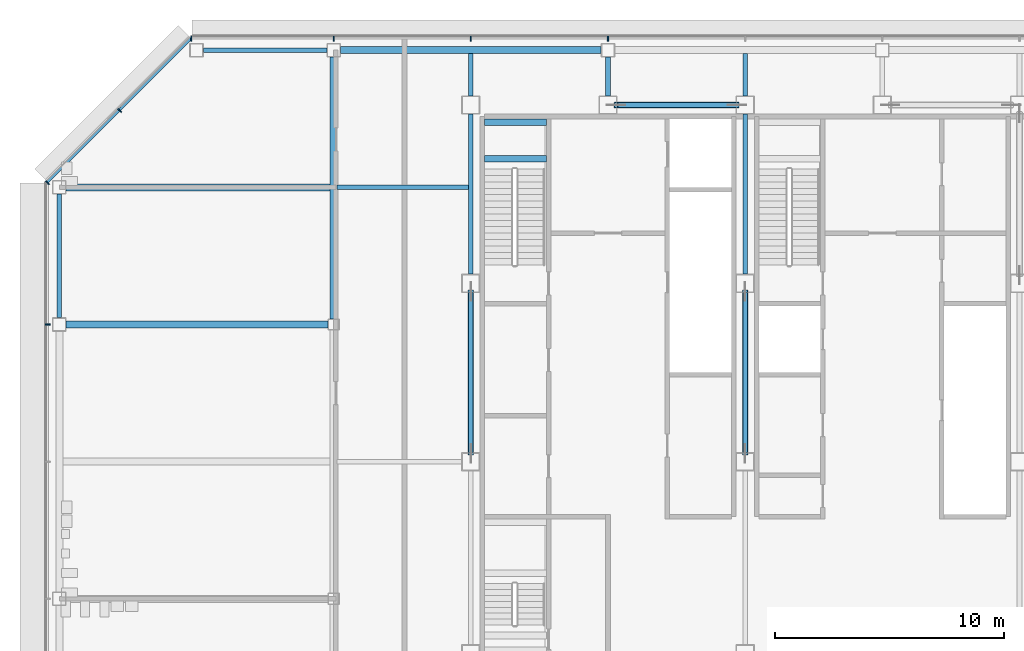
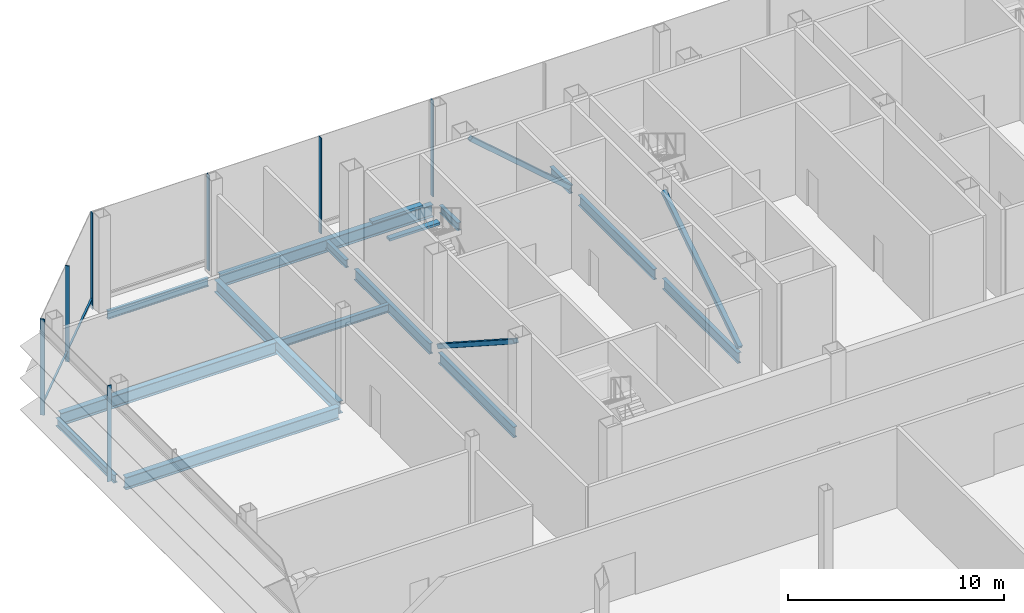
# One storey, part 11 of 26: 16 beams, 11 members, 3 elements without a shape of their own.
"""IFC4 building model written with IfcOpenShell, lengths in metres."""

from ifc_helpers import new_model, si_unit, direction, frame, origin, origin_2d, place, context, subcontext, project, spatial, rectangle, hollow_rectangle, i_section, extrude, material, material_profile, profile_set, type_object, element, aggregate, save


model = new_model("IFC4")

# Units and contexts
model_context = context("Model", 3, precision=1e-05, world=origin(), true_north=direction((0.0, 1.0)))
body_context = subcontext(model_context, "Body", "Model", "MODEL_VIEW")
ifc_project = project(units=[si_unit("LENGTHUNIT", "METRE"), si_unit("AREAUNIT", "SQUARE_METRE"), si_unit("VOLUMEUNIT", "CUBIC_METRE"), si_unit("PLANEANGLEUNIT", "RADIAN"), si_unit("MASSUNIT", "GRAM", prefix="KILO")], contexts=[model_context])

# Site, building, storey
site_placement = place(None, origin())
site = spatial("IfcSite", under=ifc_project, at=site_placement, CompositionType="ELEMENT")
building_placement = place(site_placement, origin())
building = spatial("IfcBuilding", under=site, at=building_placement, Name="Sorahane Residences", CompositionType="ELEMENT")
storey_placement = place(building_placement, frame((0.0, 0.0, 257.60009765625)))
storey = spatial("IfcBuildingStorey", under=building, at=storey_placement, Name="L61", CompositionType="ELEMENT", Elevation=257.60009765625)

# Members
ifc_material_1 = material(Name="Steel Q355B", Category="steel")
ifc_material_profile_1 = material_profile(ifc_material_1, hollow_rectangle(XDim=0.25, YDim=0.25, WallThickness=0.013916015625, InnerFilletRadius=0.007080078125, OuterFilletRadius=0.02099609375, at=origin_2d()), Name="RHS 250x250x14")
ifc_profile_set_1 = profile_set([ifc_material_profile_1], Name="Steel Q355B")
member_type_1 = type_object("IfcMemberType", Name="Core brace RHS 250x250x14 Q355B", PredefinedType="BRACE", material=ifc_profile_set_1)
member_1_placement = place(storey_placement, frame((17.649169921875, 45.60009765625, 0.08203125), z_axis=(-0.754714070621, 0.0, 0.656053863343), x_axis=(0.0, -1.0, 0.0)))
element("IfcMember", 1, at=member_1_placement, inside=storey, type_object=member_type_1, Name="Core brace L61 y45.6-2", PredefinedType="BRACE", context=body_context, shape_type="SweptSolid", body=[
    extrude(hollow_rectangle(XDim=0.25, YDim=0.25, WallThickness=0.013916015625, InnerFilletRadius=0.007080078125, OuterFilletRadius=0.02099609375, at=origin_2d()), origin(), (0.0, 0.0, 1.0), 7.020263671875),
])
for number, where, z_axis, x_axis, name in (
    (2, (6.0, 37.440673828125, 0.0986328125), (0.0, -0.840084199464, 0.54245602385), (1.0, 0.0, 0.0), "Core brace L61 x6-2"),
    (3, (18.0, 30.359375, 0.0986328125), (0.0, 0.840084199464, 0.54245602385), (-1.0, 0.0, 0.0), "Core brace L61 x18-1"),
):
    element("IfcMember", number, at=place(storey_placement, frame(where, z_axis=z_axis, x_axis=x_axis)), inside=storey, type_object=member_type_1, Name=name, PredefinedType="BRACE", context=body_context, shape_type="SweptSolid", body=[
        extrude(hollow_rectangle(XDim=0.25, YDim=0.25, WallThickness=0.013916015625, InnerFilletRadius=0.007080078125, OuterFilletRadius=0.02099609375, at=origin_2d()), origin(), (0.0, 0.0, 1.0), 8.42919921875),
    ])

# Curtain wall, members
ifc_material_2 = material(Name="Dark low-e glass and black anodised aluminium", Category="aluminium")
curtain_wall_type = type_object("IfcCurtainWallType", Name="Curtain wall CW-4 Sky floor frameless wall", PredefinedType="NOTDEFINED", material=ifc_material_2)
curtain_wall_1_placement = place(storey_placement, origin())
curtain_wall_1 = element("IfcCurtainWall", 4, at=curtain_wall_1_placement, inside=storey, type_object=curtain_wall_type, Name="CW-4 curtain wall L61 N1", PredefinedType="NOTDEFINED")
ifc_material_3 = material(Name="Black anodised aluminium", Category="aluminium")
ifc_material_profile_2 = material_profile(ifc_material_3, rectangle(XDim=0.219970703125, YDim=0.050048828125, at=origin_2d()), Name="Curtain wall mullion CW-4 black anodised aluminium 50x220")
ifc_profile_set_2 = profile_set([ifc_material_profile_2], Name="Black anodised aluminium")
member_type_2 = type_object("IfcMemberType", Name="Curtain wall mullion CW-4 black anodised aluminium 50x220", PredefinedType="MULLION", material=ifc_profile_set_2)
member_2_placement = place(storey_placement, frame((12.0, 48.510009765625, -0.22021484375), z_axis=(0.0, 0.0, 1.0), x_axis=(0.0, 1.0, 0.0)))
member_2 = element("IfcMember", 5, at=member_2_placement, type_object=member_type_2, Name="CW-4 mullion L61 N1.7", PredefinedType="MULLION", context=body_context, shape_type="SweptSolid", body=[
    extrude(rectangle(XDim=0.219970703125, YDim=0.050048828125, at=origin_2d()), origin(), (0.0, 0.0, 1.0), 5.440185546875),
])
member_3_placement = place(storey_placement, frame((6.0, 48.510009765625, -0.22021484375), z_axis=(0.0, 0.0, 1.0), x_axis=(0.0, 1.0, 0.0)))
member_3 = element("IfcMember", 6, at=member_3_placement, type_object=member_type_2, Name="CW-4 mullion L61 N1.8", PredefinedType="MULLION", context=body_context, shape_type="SweptSolid", body=[
    extrude(rectangle(XDim=0.219970703125, YDim=0.050048828125, at=origin_2d()), origin(), (0.0, 0.0, 1.0), 5.440185546875),
])
member_4_placement = place(storey_placement, frame((0.0, 48.510009765625, -0.22021484375), z_axis=(0.0, 0.0, 1.0), x_axis=(0.0, 1.0, 0.0)))
member_4 = element("IfcMember", 7, at=member_4_placement, type_object=member_type_2, Name="CW-4 mullion L61 N1.9", PredefinedType="MULLION", context=body_context, shape_type="SweptSolid", body=[
    extrude(rectangle(XDim=0.219970703125, YDim=0.050048828125, at=origin_2d()), origin(), (0.0, 0.0, 1.0), 5.440185546875),
])
member_5_placement = place(storey_placement, frame((-6.2236328125, 48.510009765625, -0.22021484375), z_axis=(0.0, 0.0, 1.0), x_axis=(0.0, 1.0, 0.0)))
member_5 = element("IfcMember", 8, at=member_5_placement, type_object=member_type_2, Name="CW-4 mullion L61 N1.10", PredefinedType="MULLION", context=body_context, shape_type="SweptSolid", body=[
    extrude(rectangle(XDim=0.219970703125, YDim=0.050048828125, at=origin_2d()), origin(), (0.0, 0.0, 1.0), 5.440185546875),
])
aggregate(curtain_wall_1, [member_2, member_3, member_4, member_5])

curtain_wall_2_placement = place(storey_placement, origin())
curtain_wall_2 = element("IfcCurtainWall", 9, at=curtain_wall_2_placement, inside=storey, type_object=curtain_wall_type, Name="CW-4 curtain wall L61 NW1", PredefinedType="NOTDEFINED")
member_6_placement = place(storey_placement, frame((-9.360595703125, 45.360595703125, -0.22021484375), z_axis=(0.0, 0.0, 1.0), x_axis=(-0.707106781187, 0.707106781187, 0.0)))
member_6 = element("IfcMember", 10, at=member_6_placement, type_object=member_type_2, Name="CW-4 mullion L61 NW1.2", PredefinedType="MULLION", context=body_context, shape_type="SweptSolid", body=[
    extrude(rectangle(XDim=0.219970703125, YDim=0.050048828125, at=origin_2d()), origin(), (0.0, 0.0, 1.0), 5.440185546875),
])
member_7_placement = place(storey_placement, frame((-12.518798828125, 42.20263671875, -0.22021484375), z_axis=(0.0, 0.0, 1.0), x_axis=(-0.707106781187, 0.707106781187, 0.0)))
member_7 = element("IfcMember", 11, at=member_7_placement, type_object=member_type_2, Name="CW-4 mullion L61 NW1.3", PredefinedType="MULLION", context=body_context, shape_type="SweptSolid", body=[
    extrude(rectangle(XDim=0.219970703125, YDim=0.050048828125, at=origin_2d()), origin(), (0.0, 0.0, 1.0), 5.440185546875),
])

# Curtain wall, member
curtain_wall_3_placement = place(storey_placement, origin())
curtain_wall_3 = element("IfcCurtainWall", 12, at=curtain_wall_3_placement, inside=storey, type_object=curtain_wall_type, Name="CW-4 curtain wall L61 W1", PredefinedType="NOTDEFINED")
member_8_placement = place(storey_placement, frame((-12.510009765625, 36.0, -0.22021484375), z_axis=(0.0, 0.0, 1.0), x_axis=(-1.0, 0.0, 0.0)))
member_8 = element("IfcMember", 13, at=member_8_placement, type_object=member_type_2, Name="CW-4 mullion L61 W1.2", PredefinedType="MULLION", context=body_context, shape_type="SweptSolid", body=[
    extrude(rectangle(XDim=0.219970703125, YDim=0.050048828125, at=origin_2d()), origin(), (0.0, 0.0, 1.0), 5.440185546875),
])
aggregate(curtain_wall_3, [member_8])

# Member
ifc_material_4 = material(Name="Black anodised aluminium", Category="aluminium")
ifc_material_profile_3 = material_profile(ifc_material_4, rectangle(XDim=0.10009765625, YDim=0.06005859375, at=origin_2d()), Name="Curtain wall transom CW-4 black anodised aluminium 60x100")
ifc_profile_set_3 = profile_set([ifc_material_profile_3], Name="Black anodised aluminium")
member_type_3 = type_object("IfcMemberType", Name="Curtain wall transom CW-4 black anodised aluminium 60x100", PredefinedType="USERDEFINED", material=ifc_profile_set_3)
member_9_placement = place(storey_placement, frame((-6.234375, 48.51513671875, 0.349853515625), z_axis=(-0.707106781187, -0.707106781187, 0.0), x_axis=(0.707106781187, -0.707106781187, 0.0)))
member_9 = element("IfcMember", 14, at=member_9_placement, type_object=member_type_3, Name="CW-4 transom L61 NW1", ObjectType="TRANSOM", PredefinedType="USERDEFINED", context=body_context, shape_type="SweptSolid", body=[
    extrude(rectangle(XDim=0.10009765625, YDim=0.06005859375, at=origin_2d()), origin(), (0.0, 0.0, 1.0), 8.88232421875),
])

aggregate(curtain_wall_2, [member_6, member_7, member_9])

# Beams
ifc_material_5 = material(Name="Concrete C40", Category="concrete")
ifc_material_profile_4 = material_profile(ifc_material_5, rectangle(XDim=0.300048828125, YDim=0.139892578125, at=origin_2d()), Name="300x140")
ifc_profile_set_4 = profile_set([ifc_material_profile_4], Name="Concrete C40")
beam_type_1 = type_object("IfcBeamType", Name="RC landing beam 300 x 140 Concrete C40", PredefinedType="BEAM", material=ifc_profile_set_4)
for number, where, z_axis, x_axis, name in (
    (15, (6.60009765625, 43.25, 2.429931640625), (1.0, 0.0, 0.0), (0.0, 1.0, 0.0), "Landing beam"),
    (16, (6.60009765625, 44.85009765625, 2.429931640625), (1.0, 0.0, 0.0), (0.0, 1.0, 0.0), "Landing beam"),
):
    element("IfcBeam", number, at=place(storey_placement, frame(where, z_axis=z_axis, x_axis=x_axis)), inside=storey, type_object=beam_type_1, Name=name, PredefinedType="BEAM", context=body_context, shape_type="SweptSolid", body=[
        extrude(rectangle(XDim=0.300048828125, YDim=0.139892578125, at=origin_2d()), origin(), (0.0, 0.0, 1.0), 2.699951171875),
    ])
ifc_material_6 = material(Name="Steel Q355B", Category="steel")
ifc_material_profile_5 = material_profile(ifc_material_6, i_section(OverallWidth=0.199951171875, OverallDepth=0.449951171875, WebThickness=0.009033203125, FlangeThickness=0.013916015625, FilletRadius=0.02001953125, at=origin_2d()), Name="HN 450x200x9x14")
ifc_profile_set_5 = profile_set([ifc_material_profile_5], Name="Steel Q355B")
beam_type_2 = type_object("IfcBeamType", Name="Steel floor beam HN 450x200x9x14 Q355B", PredefinedType="BEAM", material=ifc_profile_set_5)
for number, where, z_axis, x_axis, name in (
    (17, (-5.699951171875, 48.0, -0.445068359375), (1.0, 0.0, 0.0), (0.0, 1.0, 0.0), "Beam L61 015"),
    (18, (-12.0, 36.300048828125, -0.445068359375), (0.0, 1.0, 0.0), (-1.0, 0.0, 0.0), "Beam L61 023"),
):
    element("IfcBeam", number, at=place(storey_placement, frame(where, z_axis=z_axis, x_axis=x_axis)), inside=storey, type_object=beam_type_2, Name=name, PredefinedType="BEAM", context=body_context, shape_type="SweptSolid", body=[
        extrude(i_section(OverallWidth=0.199951171875, OverallDepth=0.449951171875, WebThickness=0.009033203125, FlangeThickness=0.013916015625, FilletRadius=0.02001953125, at=origin_2d()), origin(), (0.0, 0.0, 1.0), 5.39990234375),
    ])
beam_1_placement = place(storey_placement, frame((6.0, 46.0, -0.445068359375), z_axis=(0.0, 1.0, 0.0), x_axis=(-1.0, 0.0, 0.0)))
element("IfcBeam", 19, at=beam_1_placement, inside=storey, type_object=beam_type_2, Name="Beam L61 033", PredefinedType="BEAM", context=body_context, shape_type="SweptSolid", body=[
    extrude(i_section(OverallWidth=0.199951171875, OverallDepth=0.449951171875, WebThickness=0.009033203125, FlangeThickness=0.013916015625, FilletRadius=0.02001953125, at=origin_2d()), origin(), (0.0, 0.0, 1.0), 1.85009765625),
])
beam_2_placement = place(storey_placement, frame((12.0, 46.0, -0.445068359375), z_axis=(0.0, 1.0, 0.0), x_axis=(-1.0, 0.0, 0.0)))
element("IfcBeam", 20, at=beam_2_placement, inside=storey, type_object=beam_type_2, Name="Beam L61 035", PredefinedType="BEAM", context=body_context, shape_type="SweptSolid", body=[
    extrude(i_section(OverallWidth=0.199951171875, OverallDepth=0.449951171875, WebThickness=0.009033203125, FlangeThickness=0.013916015625, FilletRadius=0.02001953125, at=origin_2d()), origin(), (0.0, 0.0, 1.0), 1.699951171875),
])
beam_3_placement = place(storey_placement, frame((18.0, 46.0, -0.445068359375), z_axis=(0.0, 1.0, 0.0), x_axis=(-1.0, 0.0, 0.0)))
element("IfcBeam", 21, at=beam_3_placement, inside=storey, type_object=beam_type_2, Name="Beam L61 041", PredefinedType="BEAM", context=body_context, shape_type="SweptSolid", body=[
    extrude(i_section(OverallWidth=0.199951171875, OverallDepth=0.449951171875, WebThickness=0.009033203125, FlangeThickness=0.013916015625, FilletRadius=0.02001953125, at=origin_2d()), origin(), (0.0, 0.0, 1.0), 1.85009765625),
])
beam_4_placement = place(storey_placement, frame((0.14990234375, 42.0, -0.445068359375), z_axis=(1.0, 0.0, 0.0), x_axis=(0.0, 1.0, 0.0)))
element("IfcBeam", 22, at=beam_4_placement, inside=storey, type_object=beam_type_2, Name="Beam L61 090", PredefinedType="BEAM", context=body_context, shape_type="SweptSolid", body=[
    extrude(i_section(OverallWidth=0.199951171875, OverallDepth=0.449951171875, WebThickness=0.009033203125, FlangeThickness=0.013916015625, FilletRadius=0.02001953125, at=origin_2d()), origin(), (0.0, 0.0, 1.0), 5.75),
])
ifc_material_7 = material(Name="Steel Q355B", Category="steel")
ifc_material_profile_6 = material_profile(ifc_material_7, i_section(OverallWidth=0.199951171875, OverallDepth=0.60009765625, WebThickness=0.010986328125, FlangeThickness=0.01708984375, FilletRadius=0.02392578125, at=origin_2d()), Name="HN 600x200x11x17")
ifc_profile_set_6 = profile_set([ifc_material_profile_6], Name="Steel Q355B")
beam_type_3 = type_object("IfcBeamType", Name="Steel floor beam HN 600x200x11x17 Q355B", PredefinedType="BEAM", material=ifc_profile_set_6)
for number, where, z_axis, x_axis, name in (
    (23, (6.0, 30.39990234375, -0.52001953125), (0.0, 1.0, 0.0), (-1.0, 0.0, 0.0), "Beam L61 031"),
    (24, (6.0, 38.199951171875, -0.52001953125), (0.0, 1.0, 0.0), (-1.0, 0.0, 0.0), "Beam L61 032"),
    (25, (18.0, 30.39990234375, -0.52001953125), (0.0, 1.0, 0.0), (-1.0, 0.0, 0.0), "Beam L61 039"),
    (26, (18.0, 38.199951171875, -0.52001953125), (0.0, 1.0, 0.0), (-1.0, 0.0, 0.0), "Beam L61 040"),
):
    element("IfcBeam", number, at=place(storey_placement, frame(where, z_axis=z_axis, x_axis=x_axis)), inside=storey, type_object=beam_type_3, Name=name, PredefinedType="BEAM", context=body_context, shape_type="SweptSolid", body=[
        extrude(i_section(OverallWidth=0.199951171875, OverallDepth=0.60009765625, WebThickness=0.010986328125, FlangeThickness=0.01708984375, FilletRadius=0.02392578125, at=origin_2d()), origin(), (0.0, 0.0, 1.0), 7.0),
    ])
ifc_material_8 = material(Name="Steel Q355B", Category="steel")
ifc_material_profile_7 = material_profile(ifc_material_8, i_section(OverallWidth=0.300048828125, OverallDepth=0.699951171875, WebThickness=0.012939453125, FlangeThickness=0.02392578125, FilletRadius=0.028076171875, at=origin_2d()), Name="HN 700x300x13x24")
ifc_profile_set_7 = profile_set([ifc_material_profile_7], Name="Steel Q355B")
beam_type_4 = type_object("IfcBeamType", Name="Steel floor beam HN 700x300x13x24 Q355B", PredefinedType="BEAM", material=ifc_profile_set_7)
beam_5_placement = place(storey_placement, frame((-11.699951171875, 36.0, -0.570068359375), z_axis=(1.0, 0.0, 0.0), x_axis=(0.0, 1.0, 0.0)))
element("IfcBeam", 27, at=beam_5_placement, inside=storey, type_object=beam_type_4, Name="Beam L61 013", PredefinedType="BEAM", context=body_context, shape_type="SweptSolid", body=[
    extrude(i_section(OverallWidth=0.300048828125, OverallDepth=0.699951171875, WebThickness=0.012939453125, FlangeThickness=0.02392578125, FilletRadius=0.028076171875, at=origin_2d()), origin(), (0.0, 0.0, 1.0), 11.449951171875),
])
beam_6_placement = place(storey_placement, frame((0.300048828125, 48.0, -0.570068359375), z_axis=(1.0, 0.0, 0.0), x_axis=(0.0, 1.0, 0.0)))
element("IfcBeam", 28, at=beam_6_placement, inside=storey, type_object=beam_type_4, Name="Beam L61 016", PredefinedType="BEAM", context=body_context, shape_type="SweptSolid", body=[
    extrude(i_section(OverallWidth=0.300048828125, OverallDepth=0.699951171875, WebThickness=0.012939453125, FlangeThickness=0.02392578125, FilletRadius=0.028076171875, at=origin_2d()), origin(), (0.0, 0.0, 1.0), 11.39990234375),
])
beam_7_placement = place(storey_placement, frame((0.0, 36.25, -0.570068359375), z_axis=(0.0, 1.0, 0.0), x_axis=(-1.0, 0.0, 0.0)))
element("IfcBeam", 29, at=beam_7_placement, inside=storey, type_object=beam_type_4, Name="Beam L61 027", PredefinedType="BEAM", context=body_context, shape_type="SweptSolid", body=[
    extrude(i_section(OverallWidth=0.300048828125, OverallDepth=0.699951171875, WebThickness=0.012939453125, FlangeThickness=0.02392578125, FilletRadius=0.028076171875, at=origin_2d()), origin(), (0.0, 0.0, 1.0), 11.449951171875),
])
beam_8_placement = place(storey_placement, frame((-11.699951171875, 42.0, -0.570068359375), z_axis=(1.0, 0.0, 0.0), x_axis=(0.0, 1.0, 0.0)))
element("IfcBeam", 30, at=beam_8_placement, inside=storey, type_object=beam_type_4, Name="Beam L61 089", PredefinedType="BEAM", context=body_context, shape_type="SweptSolid", body=[
    extrude(i_section(OverallWidth=0.300048828125, OverallDepth=0.699951171875, WebThickness=0.012939453125, FlangeThickness=0.02392578125, FilletRadius=0.028076171875, at=origin_2d()), origin(), (0.0, 0.0, 1.0), 11.550048828125),
])

save(model, "model.ifc")
